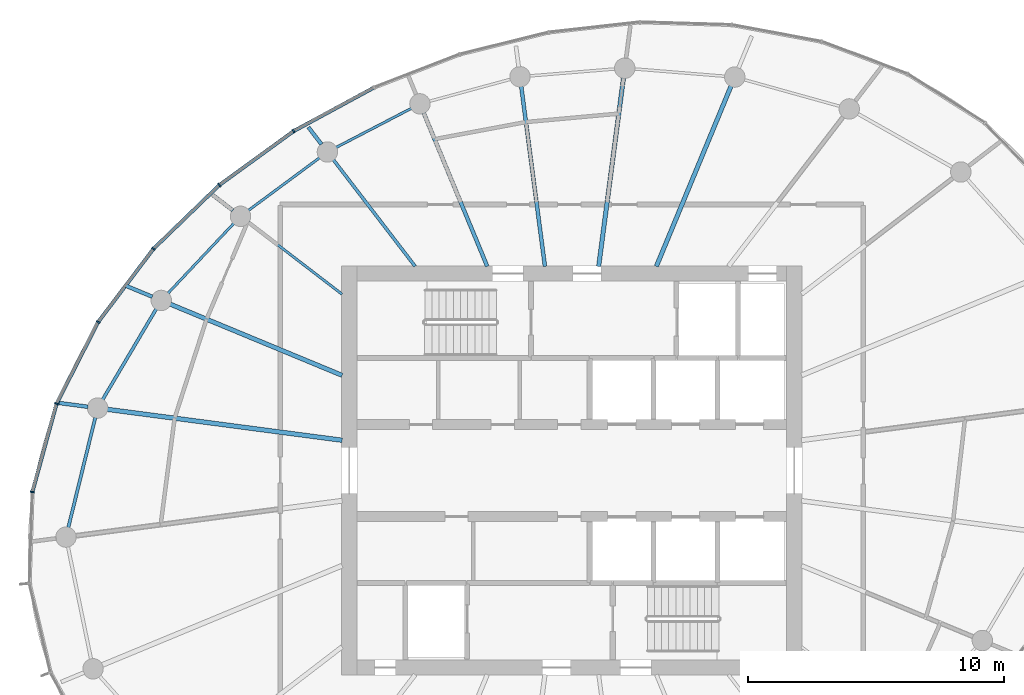
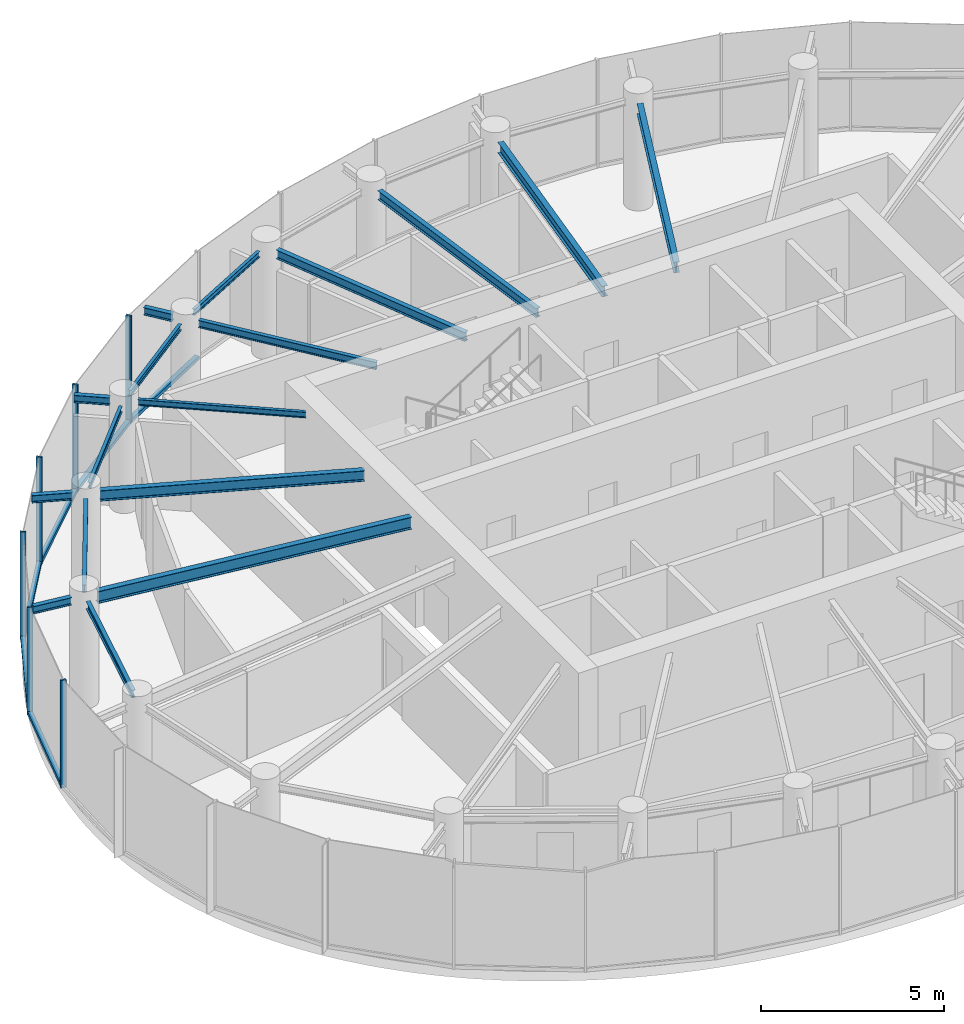
# One storey, part 4 of 13: 17 beams, 12 members, 2 elements without a shape of their own.
"""IFC4 building model written with IfcOpenShell, lengths in metres."""

import ifcopenshell
import ifcopenshell.guid

model = None  # the IFC model being written
_history = None  # IfcOwnerHistory: only IFC2X3 demands one
_inside = {}  # id of a spatial element -> (the spatial element, [elements in it])
_under = {}  # id of a project, library or spatial element -> (it, [spatial elements below it])
_declared = {}  # id of a project -> (the project, [libraries it declares])
_typed = {}  # id of a type object -> (the type object, [elements of that type])
_made_of = {}  # id of a material, layer set ... -> (it, [elements and type objects made of it])


def new_model(schema):
    """Start an empty IFC model of exactly this schema.

    Asked for "IFC4X3", IfcOpenShell would pick the latest addendum, in which some entities
    have other attributes; the version numbers below select the first issue.
    IFC2X3 requires an IfcOwnerHistory on every rooted entity: one is made here for all.
    """
    global model, _history
    if schema == "IFC4X3":
        model = ifcopenshell.file(schema_version=(4, 3, 0, 0))
    else:
        model = ifcopenshell.file(schema=schema)
    _inside.clear()
    _under.clear()
    _declared.clear()
    _typed.clear()
    _made_of.clear()
    _history = None
    if model.schema == "IFC2X3":
        org = make("IfcOrganization", Name="unknown")
        user = make(
            "IfcPersonAndOrganization",
            ThePerson=make("IfcPerson", FamilyName="unknown"),
            TheOrganization=org,
        )
        app = make(
            "IfcApplication",
            ApplicationDeveloper=org,
            Version="unknown",
            ApplicationFullName="unknown",
            ApplicationIdentifier="unknown",
        )
        _history = make(
            "IfcOwnerHistory",
            OwningUser=user,
            OwningApplication=app,
            ChangeAction="ADDED",
            CreationDate=0,
        )
    return model


def make(cls, **values):
    """One entity of the class cls with the attributes given. An attribute that is None is left unset."""
    return model.create_entity(
        cls, **{name: value for name, value in values.items() if value is not None}
    )


def rooted(cls, **values):
    """An entity with a GlobalId (a new one), such as an element, a storey or a relation."""
    return make(cls, GlobalId=ifcopenshell.guid.new(), OwnerHistory=_history, **values)


def si_unit(unit_type, name, prefix=None):
    """IfcSIUnit, for example si_unit("LENGTHUNIT", "METRE", prefix="MILLI")."""
    return make("IfcSIUnit", UnitType=unit_type, Prefix=prefix, Name=name)


def assignment(units):
    """IfcUnitAssignment: the units of a project."""
    return None if units is None else make("IfcUnitAssignment", Units=units)


def point(xyz):
    """IfcCartesianPoint."""
    return None if xyz is None else make("IfcCartesianPoint", Coordinates=xyz)


def direction(xyz):
    """IfcDirection."""
    return None if xyz is None else make("IfcDirection", DirectionRatios=xyz)


def frame(location, z_axis=None, x_axis=None):
    """IfcAxis2Placement3D, a coordinate frame: its origin and axes. An axis left out is left unset."""
    return make(
        "IfcAxis2Placement3D",
        Location=point(location),
        Axis=direction(z_axis),
        RefDirection=direction(x_axis),
    )


def frame_2d(location, x_axis=None):
    """IfcAxis2Placement2D, a coordinate frame in the plane: its origin and x axis."""
    return make(
        "IfcAxis2Placement2D", Location=point(location), RefDirection=direction(x_axis)
    )


def origin():
    """The frame at (0, 0, 0) with its axes left unset."""
    return frame((0.0, 0.0, 0.0))


def origin_2d():
    """The frame at (0, 0) in the plane with its x axis left unset."""
    return frame_2d((0.0, 0.0))


def place(relative_to, where):
    """IfcLocalPlacement: puts the frame where relative to a parent placement (None: the world)."""
    return make(
        "IfcLocalPlacement", PlacementRelTo=relative_to, RelativePlacement=where
    )


def context(
    kind, dimensions, precision=None, world=None, true_north=None, identifier=None
):
    """IfcGeometricRepresentationContext, for example the 3D "Model" context."""
    return make(
        "IfcGeometricRepresentationContext",
        ContextIdentifier=identifier,
        ContextType=kind,
        CoordinateSpaceDimension=dimensions,
        Precision=precision,
        WorldCoordinateSystem=world,
        TrueNorth=true_north,
    )


def subcontext(parent, identifier, kind, view, scale=None):
    """IfcGeometricRepresentationSubContext, for example "Body" below "Model"."""
    return make(
        "IfcGeometricRepresentationSubContext",
        ContextIdentifier=identifier,
        ContextType=kind,
        ParentContext=parent,
        TargetScale=scale,
        TargetView=view,
    )


def project(units=None, contexts=None):
    """IfcProject with its units and contexts."""
    return rooted(
        "IfcProject",
        Name="project",
        RepresentationContexts=contexts,
        UnitsInContext=assignment(units),
    )


def spatial(cls, under=None, at=None, **own):
    """A site, building, storey or space (cls), placed at a placement, below another one or the project."""
    s = rooted(cls, ObjectPlacement=at, **own)
    if under is not None:
        _under.setdefault(under.id(), (under, []))[1].append(s)
    return s


def profile(cls, at=None, kind="AREA", **sizes):
    """A parametric profile (cls). Its sizes go by their IFC names, for example OverallWidth=200.0."""
    return make(cls, ProfileType=kind, Position=at, **sizes)


def rectangle(**sizes):
    """IfcRectangleProfileDef."""
    return profile("IfcRectangleProfileDef", **sizes)


def i_section(**sizes):
    """IfcIShapeProfileDef."""
    return profile("IfcIShapeProfileDef", **sizes)


def extrude(swept, where, along, depth):
    """IfcExtrudedAreaSolid: the profile swept, set in the frame where, extruded along a direction by depth."""
    return make(
        "IfcExtrudedAreaSolid",
        SweptArea=swept,
        Position=where,
        ExtrudedDirection=direction(along),
        Depth=depth,
    )


def shape(context_of_items, identifier, shape_type, items):
    """IfcShapeRepresentation: the items that make up one representation, for example the "Body"."""
    return make(
        "IfcShapeRepresentation",
        ContextOfItems=context_of_items,
        RepresentationIdentifier=identifier,
        RepresentationType=shape_type,
        Items=items,
    )


def source(mapping_origin, context_of_items, identifier, shape_type, items):
    """IfcRepresentationMap: a shape defined once, which mapped items show again and again."""
    return make(
        "IfcRepresentationMap",
        MappingOrigin=mapping_origin,
        MappedRepresentation=shape(context_of_items, identifier, shape_type, items),
    )


def transform(
    local_origin,
    x_axis=None,
    y_axis=None,
    z_axis=None,
    scale=None,
    scale2=None,
    scale3=None,
    uniform=True,
):
    """IfcCartesianTransformationOperator3D, or its non-uniform kind. x_axis, y_axis, z_axis: its Axis1, 2, 3."""
    if uniform:
        return make(
            "IfcCartesianTransformationOperator3D",
            Axis1=direction(x_axis),
            Axis2=direction(y_axis),
            LocalOrigin=point(local_origin),
            Scale=scale,
            Axis3=direction(z_axis),
        )
    return make(
        "IfcCartesianTransformationOperator3DnonUniform",
        Axis1=direction(x_axis),
        Axis2=direction(y_axis),
        LocalOrigin=point(local_origin),
        Scale=scale,
        Axis3=direction(z_axis),
        Scale2=scale2,
        Scale3=scale3,
    )


def mapped(mapping_source, mapping_target):
    """IfcMappedItem: shows the shape of a source again, moved by a transform."""
    return make(
        "IfcMappedItem", MappingSource=mapping_source, MappingTarget=mapping_target
    )


def material(Name=None, Category=None):
    """IfcMaterial."""
    return make("IfcMaterial", Name=Name, Category=Category)


def layer(
    of_material, thickness, ventilated=None, Name=None, Category=None, Priority=None
):
    """IfcMaterialLayer: one layer of a wall or slab, of a material (None: an air gap)."""
    return make(
        "IfcMaterialLayer",
        Material=of_material,
        LayerThickness=thickness,
        IsVentilated=ventilated,
        Name=Name,
        Category=Category,
        Priority=Priority,
    )


def layer_set(layers, Name=None):
    """IfcMaterialLayerSet."""
    return make("IfcMaterialLayerSet", MaterialLayers=layers, LayerSetName=Name)


def material_profile(
    of_material, cross_section, Name=None, Category=None, Priority=None
):
    """IfcMaterialProfile: a cross section and its material."""
    return make(
        "IfcMaterialProfile",
        Name=Name,
        Material=of_material,
        Profile=cross_section,
        Priority=Priority,
        Category=Category,
    )


def profile_set(profiles, Name=None, composite=None):
    """IfcMaterialProfileSet."""
    return make(
        "IfcMaterialProfileSet",
        Name=Name,
        MaterialProfiles=profiles,
        CompositeProfile=composite,
    )


def made_of(thing, what):
    """Note that an element or type object is made of a material, layer set ...; save() writes the relation."""
    if what is not None:
        _made_of.setdefault(what.id(), (what, []))[1].append(thing)
    return thing


def type_object(cls, material=None, **own):
    """A type object (cls), such as IfcWallType, which elements share."""
    return made_of(rooted(cls, **own), material)


def element(
    cls,
    number,
    at=None,
    inside=None,
    cuts=None,
    type_object=None,
    material=None,
    context=None,
    identifier="Body",
    shape_type=None,
    held_by="IfcProductDefinitionShape",
    body=None,
    shapes=None,
    **own,
):
    """One element of the class cls, such as IfcWall. Its Tag is "e" and its number.

    at: its placement. inside: the storey or other place that contains it. cuts: it is an
    opening in that element (IfcRelVoidsElement). A single representation is given by context,
    identifier, shape_type and body (its items); several are given by shapes. held_by: the class
    of the entity that holds the representations. save() writes the other relations.
    """
    e = rooted(cls, Tag="e%d" % number, ObjectPlacement=at, **own)
    if body is not None:
        shapes = [shape(context, identifier, shape_type, body)]
    if shapes is not None:
        e.Representation = make(held_by, Representations=shapes)
    if inside is not None:
        _inside.setdefault(inside.id(), (inside, []))[1].append(e)
    if cuts is not None:
        rooted(
            "IfcRelVoidsElement", RelatingBuildingElement=cuts, RelatedOpeningElement=e
        )
    if type_object is not None:
        _typed.setdefault(type_object.id(), (type_object, []))[1].append(e)
    return made_of(e, material)


def aggregate(whole, parts):
    """IfcRelAggregates: a whole, such as a stair, and the parts it consists of."""
    return rooted("IfcRelAggregates", RelatingObject=whole, RelatedObjects=parts)


def save(model, path):
    """Write the relations noted so far, then the file.

    IfcRelAggregates (storeys below a building ...), IfcRelContainedInSpatialStructure (elements
    in a storey), IfcRelDefinesByType, IfcRelAssociatesMaterial and IfcRelDeclares: one each for
    every whole, place, type object, material and project.
    """
    for whole, parts in _under.values():
        aggregate(whole, parts)
    for where, things in _inside.values():
        rooted(
            "IfcRelContainedInSpatialStructure",
            RelatedElements=things,
            RelatingStructure=where,
        )
    for kind, things in _typed.values():
        rooted("IfcRelDefinesByType", RelatedObjects=things, RelatingType=kind)
    for what, things in _made_of.values():
        rooted("IfcRelAssociatesMaterial", RelatedObjects=things, RelatingMaterial=what)
    for by, libraries in _declared.values():
        rooted("IfcRelDeclares", RelatingContext=by, RelatedDefinitions=libraries)
    model.write(path)


model = new_model("IFC4")

# Units and contexts
model_context = context("Model", 3, precision=1e-05, world=origin(), true_north=direction((0.0, 1.0)))
body_context = subcontext(model_context, "Body", "Model", "MODEL_VIEW")
ifc_project = project(units=[si_unit("LENGTHUNIT", "METRE"), si_unit("AREAUNIT", "SQUARE_METRE"), si_unit("VOLUMEUNIT", "CUBIC_METRE"), si_unit("PLANEANGLEUNIT", "RADIAN"), si_unit("MASSUNIT", "GRAM", prefix="KILO")], contexts=[model_context])

# Site, building, storey
site_placement = place(None, origin())
site = spatial("IfcSite", under=ifc_project, at=site_placement, CompositionType="ELEMENT")
building_placement = place(site_placement, origin())
building = spatial("IfcBuilding", under=site, at=building_placement, Name="Spindrift Exchange Tower", CompositionType="ELEMENT")
storey_placement = place(building_placement, frame((0.0, 0.0, 242.300048828125)))
storey = spatial("IfcBuildingStorey", under=building, at=storey_placement, Name="L59", CompositionType="ELEMENT", Elevation=242.300048828125)

# Beams
ifc_material_1 = material(Name="Steel Grade 300", Category="steel")
ifc_material_profile_1 = material_profile(ifc_material_1, i_section(OverallWidth=0.1708984375, OverallDepth=0.35205078125, WebThickness=0.0068359375, FlangeThickness=0.009765625, FilletRadius=0.013916015625, at=origin_2d()), Name="360UB44.7")
ifc_profile_set_1 = profile_set([ifc_material_profile_1], Name="Steel Grade 300")
beam_type_1 = type_object("IfcBeamType", Name="Floor Beam 360UB44.7 Steel Grade 300", PredefinedType="BEAM", material=ifc_profile_set_1)
shared_shape_1 = source(origin(), body_context, "Body", "SweptSolid", [
    extrude(i_section(OverallWidth=0.1708984375, OverallDepth=0.35205078125, WebThickness=0.0068359375, FlangeThickness=0.009765625, FilletRadius=0.013916015625, at=origin_2d()), origin(), (0.0, 0.0, 1.0), 7.630859375),
])
beam_1_placement = place(storey_placement, frame((55.30615234375, 55.9814453125, 3.404052734375), z_axis=(0.382676740702, 0.92388230426, 0.0), x_axis=(-0.92388230426, 0.382676740702, 0.0)))
element("IfcBeam", 1, at=beam_1_placement, inside=storey, type_object=beam_type_1, Name="L59 radial beam R05A", PredefinedType="BEAM", context=body_context, shape_type="MappedRepresentation", body=[
    mapped(shared_shape_1, transform((0.0, 0.0, 0.0), scale=1.0)),
])
shared_shape_2 = source(origin(), body_context, "Body", "SweptSolid", [
    extrude(i_section(OverallWidth=0.1708984375, OverallDepth=0.35205078125, WebThickness=0.0068359375, FlangeThickness=0.009765625, FilletRadius=0.013916015625, at=origin_2d()), origin(), (0.0, 0.0, 1.0), 7.43798828125),
])
beam_2_placement = place(storey_placement, frame((53.050537109375, 55.980224609375, 3.404052734375), z_axis=(0.130540269579, 0.991443007953, 0.0), x_axis=(-0.991443007953, 0.130540269579, 0.0)))
element("IfcBeam", 2, at=beam_2_placement, inside=storey, type_object=beam_type_1, Name="L59 radial beam R06A", PredefinedType="BEAM", context=body_context, shape_type="MappedRepresentation", body=[
    mapped(shared_shape_2, transform((0.0, 0.0, 0.0), scale=1.0)),
])
ifc_material_profile_2 = material_profile(ifc_material_1, i_section(OverallWidth=0.14892578125, OverallDepth=0.298095703125, WebThickness=0.005615234375, FlangeThickness=0.008056640625, FilletRadius=0.012939453125, at=origin_2d()), Name="310UB32.0")
ifc_profile_set_2 = profile_set([ifc_material_profile_2], Name="Steel Grade 300")
beam_type_2 = type_object("IfcBeamType", Name="Floor Beam 310UB32.0 Steel Grade 300", PredefinedType="BEAM", material=ifc_profile_set_2)
shared_shape_3 = source(origin(), body_context, "Body", "SweptSolid", [
    extrude(i_section(OverallWidth=0.14892578125, OverallDepth=0.298095703125, WebThickness=0.005615234375, FlangeThickness=0.008056640625, FilletRadius=0.012939453125, at=origin_2d()), origin(), (0.0, 0.0, 1.0), 7.099853515625),
])
beam_3_placement = place(storey_placement, frame((50.949462890625, 55.980224609375, 3.430908203125), z_axis=(-0.130532789835, 0.991443992759, 0.0), x_axis=(-0.991443992759, -0.130532789835, 0.0)))
element("IfcBeam", 3, at=beam_3_placement, inside=storey, type_object=beam_type_2, Name="L59 radial beam R07A", PredefinedType="BEAM", context=body_context, shape_type="MappedRepresentation", body=[
    mapped(shared_shape_3, transform((0.0, 0.0, 0.0), scale=1.0)),
])
shared_shape_4 = source(origin(), body_context, "Body", "SweptSolid", [
    extrude(i_section(OverallWidth=0.14892578125, OverallDepth=0.298095703125, WebThickness=0.005615234375, FlangeThickness=0.008056640625, FilletRadius=0.012939453125, at=origin_2d()), origin(), (0.0, 0.0, 1.0), 6.495849609375),
])
beam_4_placement = place(storey_placement, frame((48.69384765625, 55.9814453125, 3.430908203125), z_axis=(-0.382677087308, 0.923882160695, 0.0), x_axis=(-0.923882160695, -0.382677087308, 0.0)))
element("IfcBeam", 4, at=beam_4_placement, inside=storey, type_object=beam_type_2, Name="L59 radial beam R08A", PredefinedType="BEAM", context=body_context, shape_type="MappedRepresentation", body=[
    mapped(shared_shape_4, transform((0.0, 0.0, 0.0), scale=1.0)),
])
ifc_material_profile_3 = material_profile(ifc_material_1, i_section(OverallWidth=0.1240234375, OverallDepth=0.248046875, WebThickness=0.0048828125, FlangeThickness=0.008056640625, FilletRadius=0.011962890625, at=origin_2d()), Name="250UB25.7")
ifc_profile_set_3 = profile_set([ifc_material_profile_3], Name="Steel Grade 300")
beam_type_3 = type_object("IfcBeamType", Name="Floor Beam 250UB25.7 Steel Grade 300", PredefinedType="BEAM", material=ifc_profile_set_3)
shared_shape_5 = source(origin(), body_context, "Body", "SweptSolid", [
    extrude(i_section(OverallWidth=0.1240234375, OverallDepth=0.248046875, WebThickness=0.0048828125, FlangeThickness=0.008056640625, FilletRadius=0.011962890625, at=origin_2d()), origin(), (0.0, 0.0, 1.0), 5.25341796875),
])
beam_5_placement = place(storey_placement, frame((45.87353515625, 55.984130859375, 3.4560546875), z_axis=(-0.608760287872, 0.793354215915, 0.0), x_axis=(-0.793354215915, -0.608760287872, 0.0)))
element("IfcBeam", 5, at=beam_5_placement, inside=storey, type_object=beam_type_3, Name="L59 radial beam R09A", PredefinedType="BEAM", context=body_context, shape_type="MappedRepresentation", body=[
    mapped(shared_shape_5, transform((0.0, 0.0, 0.0), scale=1.0)),
])
ifc_material_profile_4 = material_profile(ifc_material_1, i_section(OverallWidth=0.09912109375, OverallDepth=0.197998046875, WebThickness=0.00439453125, FlangeThickness=0.007080078125, FilletRadius=0.010986328125, at=origin_2d()), Name="200UB18.2")
ifc_profile_set_4 = profile_set([ifc_material_profile_4], Name="Steel Grade 300")
beam_type_4 = type_object("IfcBeamType", Name="Floor Beam 200UB18.2 Steel Grade 300", PredefinedType="BEAM", material=ifc_profile_set_4)
shared_shape_6 = source(origin(), body_context, "Body", "SweptSolid", [
    extrude(i_section(OverallWidth=0.09912109375, OverallDepth=0.197998046875, WebThickness=0.00439453125, FlangeThickness=0.007080078125, FilletRadius=0.010986328125, at=origin_2d()), origin(), (0.0, 0.0, 1.0), 4.622802734375),
])
beam_6_placement = place(storey_placement, frame((43.015869140625, 54.893798828125, 3.48095703125), z_axis=(-0.793347882225, 0.608768542033, 0.0), x_axis=(-0.608768542033, -0.793347882225, 0.0)))
element("IfcBeam", 6, at=beam_6_placement, inside=storey, type_object=beam_type_4, Name="L59 radial beam R10A", PredefinedType="BEAM", context=body_context, shape_type="MappedRepresentation", body=[
    mapped(shared_shape_6, transform((0.0, 0.0, 0.0), scale=1.0)),
])
shared_shape_7 = source(origin(), body_context, "Body", "SweptSolid", [
    extrude(i_section(OverallWidth=0.1708984375, OverallDepth=0.35205078125, WebThickness=0.0068359375, FlangeThickness=0.009765625, FilletRadius=0.013916015625, at=origin_2d()), origin(), (0.0, 0.0, 1.0), 7.272705078125),
])
beam_7_placement = place(storey_placement, frame((43.0185546875, 51.72021484375, 3.404052734375), z_axis=(-0.923874446092, 0.382695711836, 0.0), x_axis=(-0.382695711836, -0.923874446092, 0.0)))
element("IfcBeam", 7, at=beam_7_placement, inside=storey, type_object=beam_type_1, Name="L59 radial beam R11A", PredefinedType="BEAM", context=body_context, shape_type="MappedRepresentation", body=[
    mapped(shared_shape_7, transform((0.0, 0.0, 0.0), scale=1.0)),
])
ifc_material_profile_5 = material_profile(ifc_material_1, i_section(OverallWidth=0.177978515625, OverallDepth=0.403076171875, WebThickness=0.007568359375, FlangeThickness=0.010986328125, FilletRadius=0.013916015625, at=origin_2d()), Name="410UB53.7")
ifc_profile_set_5 = profile_set([ifc_material_profile_5], Name="Steel Grade 300")
beam_type_5 = type_object("IfcBeamType", Name="Floor Beam 410UB53.7 Steel Grade 300", PredefinedType="BEAM", material=ifc_profile_set_5)
shared_shape_8 = source(origin(), body_context, "Body", "SweptSolid", [
    extrude(i_section(OverallWidth=0.177978515625, OverallDepth=0.403076171875, WebThickness=0.007568359375, FlangeThickness=0.010986328125, FilletRadius=0.013916015625, at=origin_2d()), origin(), (0.0, 0.0, 1.0), 9.261962890625),
])
beam_8_placement = place(storey_placement, frame((43.019775390625, 49.182373046875, 3.37841796875), z_axis=(-0.991447744872, 0.130504288008, 0.0), x_axis=(-0.130504288008, -0.991447744872, 0.0)))
element("IfcBeam", 8, at=beam_8_placement, inside=storey, type_object=beam_type_5, Name="L59 radial beam R12A", PredefinedType="BEAM", context=body_context, shape_type="MappedRepresentation", body=[
    mapped(shared_shape_8, transform((0.0, 0.0, 0.0), scale=1.0)),
])
ifc_material_profile_6 = material_profile(ifc_material_1, i_section(OverallWidth=0.09912109375, OverallDepth=0.197998046875, WebThickness=0.00439453125, FlangeThickness=0.007080078125, FilletRadius=0.010986328125, at=origin_2d()), Name="200UB18.2")
ifc_profile_set_6 = profile_set([ifc_material_profile_6], Name="Steel Grade 300")
beam_type_6 = type_object("IfcBeamType", Name="Edge Beam 200UB18.2 Steel Grade 300", PredefinedType="SPANDREL", material=ifc_profile_set_6)
shared_shape_9 = source(origin(), body_context, "Body", "SweptSolid", [
    extrude(i_section(OverallWidth=0.09912109375, OverallDepth=0.197998046875, WebThickness=0.00439453125, FlangeThickness=0.007080078125, FilletRadius=0.010986328125, at=origin_2d()), origin(), (0.0, 0.0, 1.0), 3.31787109375),
])
beam_9_placement = place(storey_placement, frame((45.7255859375, 62.15869140625, 3.48095703125), z_axis=(-0.887327612278, -0.46113957593, 0.0), x_axis=(0.46113957593, -0.887327612278, 0.0)))
element("IfcBeam", 9, at=beam_9_placement, inside=storey, type_object=beam_type_6, Name="L59 edge beam E08", PredefinedType="SPANDREL", context=body_context, shape_type="MappedRepresentation", body=[
    mapped(shared_shape_9, transform((0.0, 0.0, 0.0), scale=1.0)),
])
shared_shape_10 = source(origin(), body_context, "Body", "SweptSolid", [
    extrude(i_section(OverallWidth=0.09912109375, OverallDepth=0.197998046875, WebThickness=0.00439453125, FlangeThickness=0.007080078125, FilletRadius=0.010986328125, at=origin_2d()), origin(), (0.0, 0.0, 1.0), 3.466552734375),
])
beam_10_placement = place(storey_placement, frame((42.138916015625, 60.227294921875, 3.48095703125), z_axis=(-0.803854022168, -0.594826622676, 0.0), x_axis=(0.594826622676, -0.803854022168, 0.0)))
element("IfcBeam", 10, at=beam_10_placement, inside=storey, type_object=beam_type_6, Name="L59 edge beam E09", PredefinedType="SPANDREL", context=body_context, shape_type="MappedRepresentation", body=[
    mapped(shared_shape_10, transform((0.0, 0.0, 0.0), scale=1.0)),
])
shared_shape_11 = source(origin(), body_context, "Body", "SweptSolid", [
    extrude(i_section(OverallWidth=0.09912109375, OverallDepth=0.197998046875, WebThickness=0.00439453125, FlangeThickness=0.007080078125, FilletRadius=0.010986328125, at=origin_2d()), origin(), (0.0, 0.0, 1.0), 3.759765625),
])
beam_11_placement = place(storey_placement, frame((38.786376953125, 57.66259765625, 3.48095703125), z_axis=(-0.685520646854, -0.72805318675, 0.0), x_axis=(0.72805318675, -0.685520646854, 0.0)))
element("IfcBeam", 11, at=beam_11_placement, inside=storey, type_object=beam_type_6, Name="L59 edge beam E10", PredefinedType="SPANDREL", context=body_context, shape_type="MappedRepresentation", body=[
    mapped(shared_shape_11, transform((0.0, 0.0, 0.0), scale=1.0)),
])
ifc_material_profile_7 = material_profile(ifc_material_1, i_section(OverallWidth=0.1240234375, OverallDepth=0.248046875, WebThickness=0.0048828125, FlangeThickness=0.008056640625, FilletRadius=0.011962890625, at=origin_2d()), Name="250UB25.7")
ifc_profile_set_7 = profile_set([ifc_material_profile_7], Name="Steel Grade 300")
beam_type_7 = type_object("IfcBeamType", Name="Edge Beam 250UB25.7 Steel Grade 300", PredefinedType="SPANDREL", material=ifc_profile_set_7)
shared_shape_12 = source(origin(), body_context, "Body", "SweptSolid", [
    extrude(i_section(OverallWidth=0.1240234375, OverallDepth=0.248046875, WebThickness=0.0048828125, FlangeThickness=0.008056640625, FilletRadius=0.011962890625, at=origin_2d()), origin(), (0.0, 0.0, 1.0), 4.128662109375),
])
beam_12_placement = place(storey_placement, frame((35.755126953125, 54.321533203125, 3.4560546875), z_axis=(-0.509067946458, -0.860726336235, 0.0), x_axis=(0.860726336235, -0.509067946458, 0.0)))
element("IfcBeam", 12, at=beam_12_placement, inside=storey, type_object=beam_type_7, Name="L59 edge beam E11", PredefinedType="SPANDREL", context=body_context, shape_type="MappedRepresentation", body=[
    mapped(shared_shape_12, transform((0.0, 0.0, 0.0), scale=1.0)),
])
shared_shape_13 = source(origin(), body_context, "Body", "SweptSolid", [
    extrude(i_section(OverallWidth=0.1240234375, OverallDepth=0.248046875, WebThickness=0.0048828125, FlangeThickness=0.008056640625, FilletRadius=0.011962890625, at=origin_2d()), origin(), (0.0, 0.0, 1.0), 4.43408203125),
])
beam_13_placement = place(storey_placement, frame((33.369384765625, 50.07177734375, 3.4560546875), z_axis=(-0.238193109804, -0.971217814109, 0.0), x_axis=(0.971217814109, -0.238193109804, 0.0)))
element("IfcBeam", 13, at=beam_13_placement, inside=storey, type_object=beam_type_7, Name="L59 edge beam E12", PredefinedType="SPANDREL", context=body_context, shape_type="MappedRepresentation", body=[
    mapped(shared_shape_13, transform((0.0, 0.0, 0.0), scale=1.0)),
])
ifc_material_profile_8 = material_profile(ifc_material_1, i_section(OverallWidth=0.14599609375, OverallDepth=0.251953125, WebThickness=0.006103515625, FlangeThickness=0.008544921875, FilletRadius=0.011962890625, at=origin_2d()), Name="250UB31.4")
ifc_profile_set_8 = profile_set([ifc_material_profile_8], Name="Steel Grade 300")
beam_type_8 = type_object("IfcBeamType", Name="Cantilever Beam 250UB31.4 Steel Grade 300", PredefinedType="BEAM", material=ifc_profile_set_8)
shared_shape_14 = source(origin(), body_context, "Body", "SweptSolid", [
    extrude(i_section(OverallWidth=0.14599609375, OverallDepth=0.251953125, WebThickness=0.006103515625, FlangeThickness=0.008544921875, FilletRadius=0.011962890625, at=origin_2d()), origin(), (0.0, 0.0, 1.0), 0.840087890625),
])
beam_14_placement = place(storey_placement, frame((42.212890625, 60.754638671875, 3.453857421875), z_axis=(-0.608797519424, 0.793325645837, 0.0), x_axis=(-0.793325645837, -0.608797519424, 0.0)))
element("IfcBeam", 14, at=beam_14_placement, inside=storey, type_object=beam_type_8, Name="L59 cantilever beam R09T", PredefinedType="BEAM", context=body_context, shape_type="MappedRepresentation", body=[
    mapped(shared_shape_14, transform((0.0, 0.0, 0.0), scale=1.0)),
])
shared_shape_15 = source(origin(), body_context, "Body", "SweptSolid", [
    extrude(i_section(OverallWidth=0.14599609375, OverallDepth=0.251953125, WebThickness=0.006103515625, FlangeThickness=0.008544921875, FilletRadius=0.011962890625, at=origin_2d()), origin(), (0.0, 0.0, 1.0), 0.989990234375),
])
beam_15_placement = place(storey_placement, frame((38.74560546875, 58.170654296875, 3.453857421875), z_axis=(-0.793411811923, 0.608685219716, 0.0), x_axis=(-0.608685219716, -0.793411811923, 0.0)))
element("IfcBeam", 15, at=beam_15_placement, inside=storey, type_object=beam_type_8, Name="L59 cantilever beam R10T", PredefinedType="BEAM", context=body_context, shape_type="MappedRepresentation", body=[
    mapped(shared_shape_15, transform((0.0, 0.0, 0.0), scale=1.0)),
])
shared_shape_16 = source(origin(), body_context, "Body", "SweptSolid", [
    extrude(i_section(OverallWidth=0.14599609375, OverallDepth=0.251953125, WebThickness=0.006103515625, FlangeThickness=0.008544921875, FilletRadius=0.011962890625, at=origin_2d()), origin(), (0.0, 0.0, 1.0), 1.110595703125),
])
beam_16_placement = place(storey_placement, frame((35.597412109375, 54.794189453125, 3.453857421875), z_axis=(-0.92387483862, 0.382694764225, 0.0), x_axis=(-0.382694764225, -0.92387483862, 0.0)))
element("IfcBeam", 16, at=beam_16_placement, inside=storey, type_object=beam_type_8, Name="L59 cantilever beam R11T", PredefinedType="BEAM", context=body_context, shape_type="MappedRepresentation", body=[
    mapped(shared_shape_16, transform((0.0, 0.0, 0.0), scale=1.0)),
])
shared_shape_17 = source(origin(), body_context, "Body", "SweptSolid", [
    extrude(i_section(OverallWidth=0.14599609375, OverallDepth=0.251953125, WebThickness=0.006103515625, FlangeThickness=0.008544921875, FilletRadius=0.011962890625, at=origin_2d()), origin(), (0.0, 0.0, 1.0), 1.13134765625),
])
beam_17_placement = place(storey_placement, frame((33.083251953125, 50.490478515625, 3.453857421875), z_axis=(-0.991439598184, 0.130566163888, 0.0), x_axis=(-0.130566163888, -0.991439598184, 0.0)))
element("IfcBeam", 17, at=beam_17_placement, inside=storey, type_object=beam_type_8, Name="L59 cantilever beam R12T", PredefinedType="BEAM", context=body_context, shape_type="MappedRepresentation", body=[
    mapped(shared_shape_17, transform((0.0, 0.0, 0.0), scale=1.0)),
])

# Curtain wall, members
ifc_material_2 = material(Name="Fritted laminated glass with bronze frame", Category="glass")
ifc_layer = layer(ifc_material_2, 0.159912109375)
ifc_layer_set = layer_set([ifc_layer], Name="ZONE 5 BRONZE FRITTED WALL")
curtain_wall_type = type_object("IfcCurtainWallType", Name="ZONE 5 BRONZE FRITTED WALL", PredefinedType="NOTDEFINED", material=ifc_layer_set)
curtain_wall_1_placement = place(storey_placement, origin())
curtain_wall_1 = element("IfcCurtainWall", 18, at=curtain_wall_1_placement, inside=storey, type_object=curtain_wall_type, Name="L59 Zone 5 Bronze Fritted Wall run 2", PredefinedType="NOTDEFINED")
ifc_material_3 = material(Name="Bronze anodised aluminium", Category="aluminium")
ifc_material_profile_9 = material_profile(ifc_material_3, rectangle(XDim=0.139892578125, YDim=0.1201171875, at=origin_2d()), Name="ZONE 5 BRONZE FRITTED WALL TRANSOM 140X120")
ifc_profile_set_9 = profile_set([ifc_material_profile_9], Name="Bronze anodised aluminium")
member_type_1 = type_object("IfcMemberType", Name="ZONE 5 BRONZE FRITTED WALL TRANSOM 140X120", PredefinedType="USERDEFINED", material=ifc_profile_set_9)
shared_shape_18 = source(origin(), body_context, "Body", "SweptSolid", [
    extrude(rectangle(XDim=0.139892578125, YDim=0.1201171875, at=origin_2d()), origin(), (0.0, 0.0, 1.0), 3.52587890625),
])
member_1_placement = place(storey_placement, frame((41.095947265625, 61.251220703125, 0.06005859375), z_axis=(-0.80904738199, -0.587743425054, 0.0), x_axis=(0.587743425054, -0.80904738199, 0.0)))
member_1 = element("IfcMember", 19, at=member_1_placement, type_object=member_type_1, Name="L59 transom CW-5.11", ObjectType="TRANSOM", PredefinedType="USERDEFINED", context=body_context, shape_type="MappedRepresentation", body=[
    mapped(shared_shape_18, transform((0.0, 0.0, 0.0), scale=1.0)),
])
shared_shape_19 = source(origin(), body_context, "Body", "SweptSolid", [
    extrude(rectangle(XDim=0.139892578125, YDim=0.1201171875, at=origin_2d()), origin(), (0.0, 0.0, 1.0), 3.5263671875),
])
member_2_placement = place(storey_placement, frame((44.24658203125, 62.964111328125, 0.06005859375), z_axis=(-0.879091351902, -0.476653327914, 0.0), x_axis=(0.476653327914, -0.879091351902, 0.0)))
member_2 = element("IfcMember", 20, at=member_2_placement, type_object=member_type_1, Name="L59 transom CW-5.10", ObjectType="TRANSOM", PredefinedType="USERDEFINED", context=body_context, shape_type="MappedRepresentation", body=[
    mapped(shared_shape_19, transform((0.0, 0.0, 0.0), scale=1.0)),
])
shared_shape_20 = source(origin(), body_context, "Body", "SweptSolid", [
    extrude(rectangle(XDim=0.139892578125, YDim=0.1201171875, at=origin_2d()), origin(), (0.0, 0.0, 1.0), 3.525390625),
])
member_3_placement = place(storey_placement, frame((38.197509765625, 59.140380859375, 0.06005859375), z_axis=(-0.718747250012, -0.695271451018, 0.0), x_axis=(0.695271451018, -0.718747250012, 0.0)))
member_3 = element("IfcMember", 21, at=member_3_placement, type_object=member_type_1, Name="L59 transom CW-5.12", ObjectType="TRANSOM", PredefinedType="USERDEFINED", context=body_context, shape_type="MappedRepresentation", body=[
    mapped(shared_shape_20, transform((0.0, 0.0, 0.0), scale=1.0)),
])

curtain_wall_2_placement = place(storey_placement, origin())
curtain_wall_2 = element("IfcCurtainWall", 22, at=curtain_wall_2_placement, inside=storey, type_object=curtain_wall_type, Name="L59 Zone 5 Bronze Fritted Wall run 3", PredefinedType="NOTDEFINED")
shared_shape_21 = source(origin(), body_context, "Body", "SweptSolid", [
    extrude(rectangle(XDim=0.139892578125, YDim=0.1201171875, at=origin_2d()), origin(), (0.0, 0.0, 1.0), 3.521484375),
])
member_4_placement = place(storey_placement, frame((31.8466796875, 50.586181640625, 0.06005859375), z_axis=(-0.264284617773, -0.964444731858, 0.0), x_axis=(0.964444731858, -0.264284617773, 0.0)))
member_4 = element("IfcMember", 23, at=member_4_placement, type_object=member_type_1, Name="L59 transom CW-5.15", ObjectType="TRANSOM", PredefinedType="USERDEFINED", context=body_context, shape_type="MappedRepresentation", body=[
    mapped(shared_shape_21, transform((0.0, 0.0, 0.0), scale=1.0)),
])
shared_shape_22 = source(origin(), body_context, "Body", "SweptSolid", [
    extrude(rectangle(XDim=0.139892578125, YDim=0.1201171875, at=origin_2d()), origin(), (0.0, 0.0, 1.0), 3.5234375),
])
member_5_placement = place(storey_placement, frame((33.46728515625, 53.781494140625, 0.06005859375), z_axis=(-0.453853120794, -0.891076508918, 0.0), x_axis=(0.891076508918, -0.453853120794, 0.0)))
member_5 = element("IfcMember", 24, at=member_5_placement, type_object=member_type_1, Name="L59 transom CW-5.14", ObjectType="TRANSOM", PredefinedType="USERDEFINED", context=body_context, shape_type="MappedRepresentation", body=[
    mapped(shared_shape_22, transform((0.0, 0.0, 0.0), scale=1.0)),
])

# Member
ifc_material_profile_10 = material_profile(ifc_material_3, rectangle(XDim=0.06005859375, YDim=0.159912109375, at=origin_2d()), Name="ZONE 5 BRONZE FRITTED WALL MULLION 60X160")
ifc_profile_set_10 = profile_set([ifc_material_profile_10], Name="Bronze anodised aluminium")
member_type_2 = type_object("IfcMemberType", Name="ZONE 5 BRONZE FRITTED WALL MULLION 60X160", PredefinedType="MULLION", material=ifc_profile_set_10)
shared_shape_23 = source(origin(), body_context, "Body", "SweptSolid", [
    extrude(rectangle(XDim=0.06005859375, YDim=0.159912109375, at=origin_2d()), origin(), (0.0, 0.0, 1.0), 3.579833984375),
])
member_6_placement = place(storey_placement, frame((41.1201171875, 61.268798828125, 0.0), z_axis=(0.0, 0.0, 1.0), x_axis=(-0.845887522397, -0.533361321669, 0.0)))
member_6 = element("IfcMember", 25, at=member_6_placement, type_object=member_type_2, Name="L59 mullion CW-5.11", PredefinedType="MULLION", context=body_context, shape_type="MappedRepresentation", body=[
    mapped(shared_shape_23, transform((0.0, 0.0, 0.0), scale=1.0)),
])

member_7_placement = place(storey_placement, frame((38.218994140625, 59.1611328125, 0.0), z_axis=(0.0, 0.0, 1.0), x_axis=(-0.76578999216, -0.643090730697, 0.0)))
member_7 = element("IfcMember", 26, at=member_7_placement, type_object=member_type_2, Name="L59 mullion CW-5.12", PredefinedType="MULLION", context=body_context, shape_type="MappedRepresentation", body=[
    mapped(shared_shape_23, transform((0.0, 0.0, 0.0), scale=1.0)),
])

aggregate(curtain_wall_1, [member_2, member_6, member_1, member_7, member_3])

member_8_placement = place(storey_placement, frame((35.641845703125, 56.66845703125, 0.0), z_axis=(0.0, 0.0, 1.0), x_axis=(-0.662806387963, -0.748790819973, 0.0)))
member_8 = element("IfcMember", 27, at=member_8_placement, type_object=member_type_2, Name="L59 mullion CW-5.13", PredefinedType="MULLION", context=body_context, shape_type="MappedRepresentation", body=[
    mapped(shared_shape_23, transform((0.0, 0.0, 0.0), scale=1.0)),
])

member_9_placement = place(storey_placement, frame((33.480712890625, 53.808349609375, 0.0), z_axis=(0.0, 0.0, 1.0), x_axis=(-0.530402570769, -0.847745901153, 0.0)))
member_9 = element("IfcMember", 28, at=member_9_placement, type_object=member_type_2, Name="L59 mullion CW-5.14", PredefinedType="MULLION", context=body_context, shape_type="MappedRepresentation", body=[
    mapped(shared_shape_23, transform((0.0, 0.0, 0.0), scale=1.0)),
])

member_10_placement = place(storey_placement, frame((31.8544921875, 50.615234375, 0.0), z_axis=(0.0, 0.0, 1.0), x_axis=(-0.360898209151, -0.932605212634, 0.0)))
member_10 = element("IfcMember", 29, at=member_10_placement, type_object=member_type_2, Name="L59 mullion CW-5.15", PredefinedType="MULLION", context=body_context, shape_type="MappedRepresentation", body=[
    mapped(shared_shape_23, transform((0.0, 0.0, 0.0), scale=1.0)),
])

member_11_placement = place(storey_placement, frame((30.908203125, 47.160888671875, 0.0), z_axis=(0.0, 0.0, 1.0), x_axis=(-0.149009255826, -0.988835801171, 0.0)))
member_11 = element("IfcMember", 30, at=member_11_placement, type_object=member_type_2, Name="L59 mullion CW-5.16", PredefinedType="MULLION", context=body_context, shape_type="MappedRepresentation", body=[
    mapped(shared_shape_23, transform((0.0, 0.0, 0.0), scale=1.0)),
])

shared_shape_24 = source(origin(), body_context, "Body", "SweptSolid", [
    extrude(rectangle(XDim=0.139892578125, YDim=0.1201171875, at=origin_2d()), origin(), (0.0, 0.0, 1.0), 3.52490234375),
])
member_12_placement = place(storey_placement, frame((35.623779296875, 56.64453125, 0.06005859375), z_axis=(-0.602866402904, -0.797842152465, 0.0), x_axis=(0.797842152465, -0.602866402904, 0.0)))
member_12 = element("IfcMember", 31, at=member_12_placement, type_object=member_type_1, Name="L59 transom CW-5.13", ObjectType="TRANSOM", PredefinedType="USERDEFINED", context=body_context, shape_type="MappedRepresentation", body=[
    mapped(shared_shape_24, transform((0.0, 0.0, 0.0), scale=1.0)),
])

aggregate(curtain_wall_2, [member_8, member_12, member_9, member_5, member_10, member_4, member_11])

save(model, "model.ifc")
